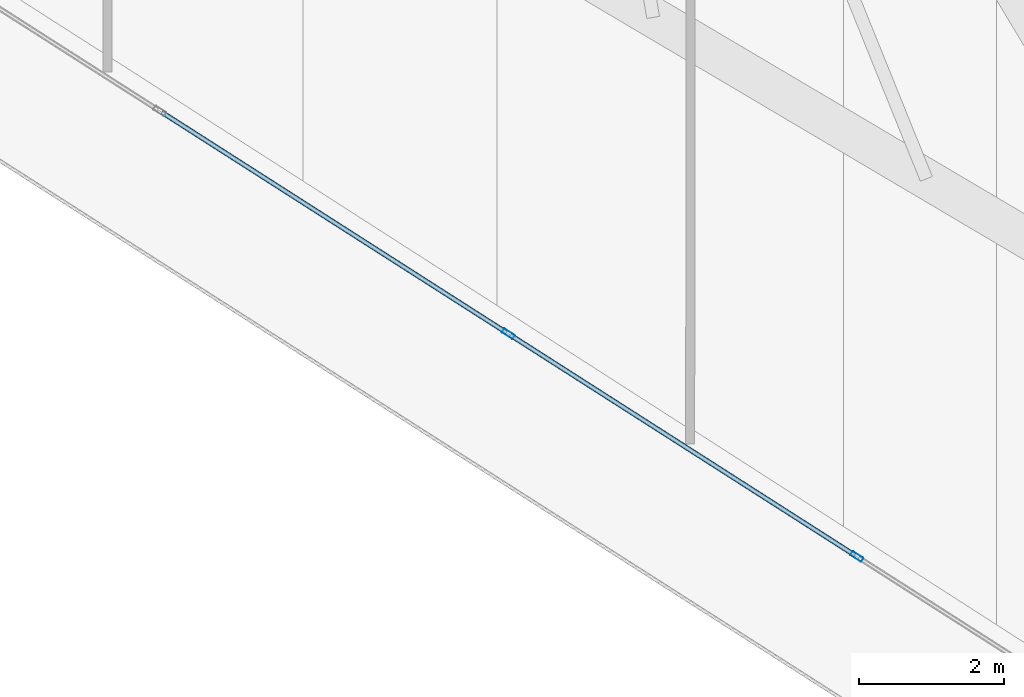
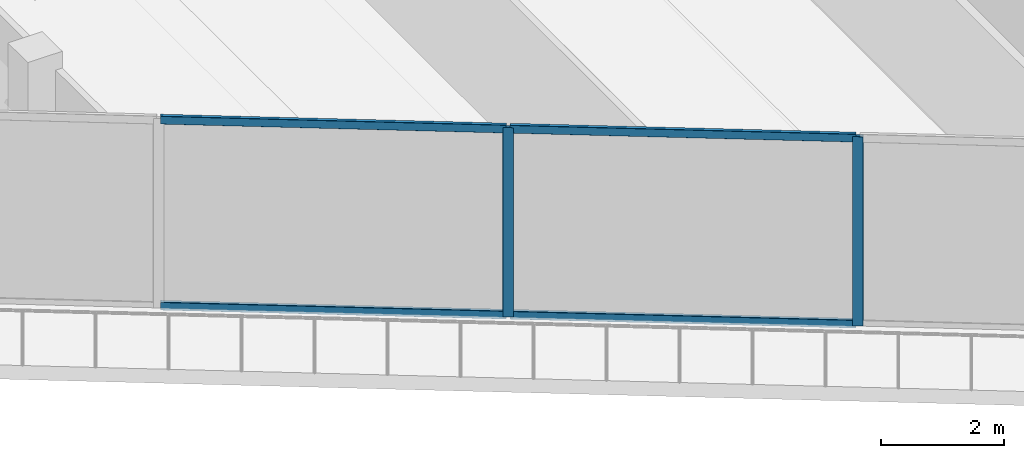
# One storey, part 6 of 44: 6 members, 1 element without a shape of its own.
"""IFC4 building model written with IfcOpenShell, lengths in metres."""

from ifc_helpers import new_model, si_unit, direction, frame, origin, origin_2d, place, context, subcontext, project, spatial, hollow_rectangle, extrude, material, layer, layer_set, material_profile, profile_set, type_object, element, aggregate, save


model = new_model("IFC4")

# Units and contexts
model_context = context("Model", 3, precision=1e-05, world=origin(), true_north=direction((0.0, 1.0)))
body_context = subcontext(model_context, "Body", "Model", "MODEL_VIEW")
ifc_project = project(units=[si_unit("LENGTHUNIT", "METRE"), si_unit("AREAUNIT", "SQUARE_METRE"), si_unit("VOLUMEUNIT", "CUBIC_METRE"), si_unit("PLANEANGLEUNIT", "RADIAN"), si_unit("MASSUNIT", "GRAM", prefix="KILO")], contexts=[model_context])

# Site, building, storey
site_placement = place(None, origin())
site = spatial("IfcSite", under=ifc_project, at=site_placement, CompositionType="ELEMENT")
building_placement = place(site_placement, origin())
building = spatial("IfcBuilding", under=site, at=building_placement, Name="Qorvath Tower", CompositionType="ELEMENT")
storey_placement = place(building_placement, frame((0.0, 0.0, 113.85009765625)))
storey = spatial("IfcBuildingStorey", under=building, at=storey_placement, Name="L25", CompositionType="ELEMENT", Elevation=113.85009765625)

# Curtain wall, members
ifc_material_1 = material(Name="Anodised aluminium and triple low-E glass", Category="aluminium")
ifc_layer = layer(ifc_material_1, 0.179931640625)
ifc_layer_set = layer_set([ifc_layer], Name="CW-SYS-2")
curtain_wall_type = type_object("IfcCurtainWallType", Name="CW-SYS-2", PredefinedType="NOTDEFINED", material=ifc_layer_set)
curtain_wall_placement = place(storey_placement, origin())
curtain_wall = element("IfcCurtainWall", 1, at=curtain_wall_placement, inside=storey, type_object=curtain_wall_type, Name="Curtain Wall CW-2 CW-T-L25-2.2", PredefinedType="NOTDEFINED")
ifc_material_2 = material(Name="Anodised aluminium 6063-T6", Category="aluminium")
ifc_material_profile_1 = material_profile(ifc_material_2, hollow_rectangle(XDim=0.06494140625, YDim=0.179931640625, WallThickness=0.00341796875, InnerFilletRadius=0.00341796875, OuterFilletRadius=0.007080078125, at=origin_2d()), Name="CWM 180x65")
ifc_profile_set_1 = profile_set([ifc_material_profile_1], Name="Anodised aluminium 6063-T6")
member_type_1 = type_object("IfcMemberType", Name="CWM-180", PredefinedType="MULLION", material=ifc_profile_set_1)
member_1_placement = place(storey_placement, frame((-25.2607421875, -24.93115234375, 0.0), z_axis=(0.0, 0.0, 1.0), x_axis=(0.538538275895, 0.842601047588, 0.0)))
member_1 = element("IfcMember", 2, at=member_1_placement, type_object=member_type_1, Name="CW-2 mullion 3", PredefinedType="MULLION", context=body_context, shape_type="SweptSolid", body=[
    extrude(hollow_rectangle(XDim=0.06494140625, YDim=0.179931640625, WallThickness=0.00341796875, InnerFilletRadius=0.00341796875, OuterFilletRadius=0.007080078125, at=origin_2d()), origin(), (0.0, 0.0, 1.0), 3.77001953125),
])
member_2_placement = place(storey_placement, frame((-20.450439453125, -28.005859375, 0.0), z_axis=(0.0, 0.0, 1.0), x_axis=(0.538538275895, 0.842601047588, 0.0)))
member_2 = element("IfcMember", 3, at=member_2_placement, type_object=member_type_1, Name="CW-2 mullion 4", PredefinedType="MULLION", context=body_context, shape_type="SweptSolid", body=[
    extrude(hollow_rectangle(XDim=0.06494140625, YDim=0.179931640625, WallThickness=0.00341796875, InnerFilletRadius=0.00341796875, OuterFilletRadius=0.007080078125, at=origin_2d()), origin(), (0.0, 0.0, 1.0), 3.77001953125),
])
ifc_material_3 = material(Name="Anodised aluminium 6063-T6", Category="aluminium")
ifc_material_profile_2 = material_profile(ifc_material_3, hollow_rectangle(XDim=0.06494140625, YDim=0.159912109375, WallThickness=0.00341796875, InnerFilletRadius=0.00341796875, OuterFilletRadius=0.007080078125, at=origin_2d()), Name="CWT 160x65")
ifc_profile_set_2 = profile_set([ifc_material_profile_2], Name="Anodised aluminium 6063-T6")
member_type_2 = type_object("IfcMemberType", Name="CWT-160", PredefinedType="USERDEFINED", material=ifc_profile_set_2)
member_3_placement = place(storey_placement, frame((-30.043701171875, -21.874267578125, 0.032470703125), z_axis=(0.84259648245, -0.538545418477, 0.0), x_axis=(0.538545418477, 0.84259648245, 0.0)))
member_3 = element("IfcMember", 4, at=member_3_placement, type_object=member_type_2, Name="CW-2 transom 2.1", ObjectType="TRANSOM", PredefinedType="USERDEFINED", context=body_context, shape_type="SweptSolid", body=[
    extrude(hollow_rectangle(XDim=0.06494140625, YDim=0.159912109375, WallThickness=0.00341796875, InnerFilletRadius=0.00341796875, OuterFilletRadius=0.007080078125, at=origin_2d()), origin(), (0.0, 0.0, 1.0), 5.64404296875),
])
member_4_placement = place(storey_placement, frame((-30.043701171875, -21.874267578125, 3.737548828125), z_axis=(0.84259648245, -0.538545418477, 0.0), x_axis=(0.538545418477, 0.84259648245, 0.0)))
member_4 = element("IfcMember", 5, at=member_4_placement, type_object=member_type_2, Name="CW-2 transom 2.2", ObjectType="TRANSOM", PredefinedType="USERDEFINED", context=body_context, shape_type="SweptSolid", body=[
    extrude(hollow_rectangle(XDim=0.06494140625, YDim=0.159912109375, WallThickness=0.00341796875, InnerFilletRadius=0.00341796875, OuterFilletRadius=0.007080078125, at=origin_2d()), origin(), (0.0, 0.0, 1.0), 5.64404296875),
])
member_5_placement = place(storey_placement, frame((-25.2333984375, -24.94873046875, 0.032470703125), z_axis=(0.84259648245, -0.538545418477, 0.0), x_axis=(0.538545418477, 0.84259648245, 0.0)))
member_5 = element("IfcMember", 6, at=member_5_placement, type_object=member_type_2, Name="CW-2 transom 3.1", ObjectType="TRANSOM", PredefinedType="USERDEFINED", context=body_context, shape_type="SweptSolid", body=[
    extrude(hollow_rectangle(XDim=0.06494140625, YDim=0.159912109375, WallThickness=0.00341796875, InnerFilletRadius=0.00341796875, OuterFilletRadius=0.007080078125, at=origin_2d()), origin(), (0.0, 0.0, 1.0), 5.64404296875),
])
member_6_placement = place(storey_placement, frame((-25.2333984375, -24.94873046875, 3.737548828125), z_axis=(0.84259648245, -0.538545418477, 0.0), x_axis=(0.538545418477, 0.84259648245, 0.0)))
member_6 = element("IfcMember", 7, at=member_6_placement, type_object=member_type_2, Name="CW-2 transom 3.2", ObjectType="TRANSOM", PredefinedType="USERDEFINED", context=body_context, shape_type="SweptSolid", body=[
    extrude(hollow_rectangle(XDim=0.06494140625, YDim=0.159912109375, WallThickness=0.00341796875, InnerFilletRadius=0.00341796875, OuterFilletRadius=0.007080078125, at=origin_2d()), origin(), (0.0, 0.0, 1.0), 5.64404296875),
])
aggregate(curtain_wall, [member_1, member_2, member_3, member_4, member_5, member_6])

save(model, "model.ifc")
